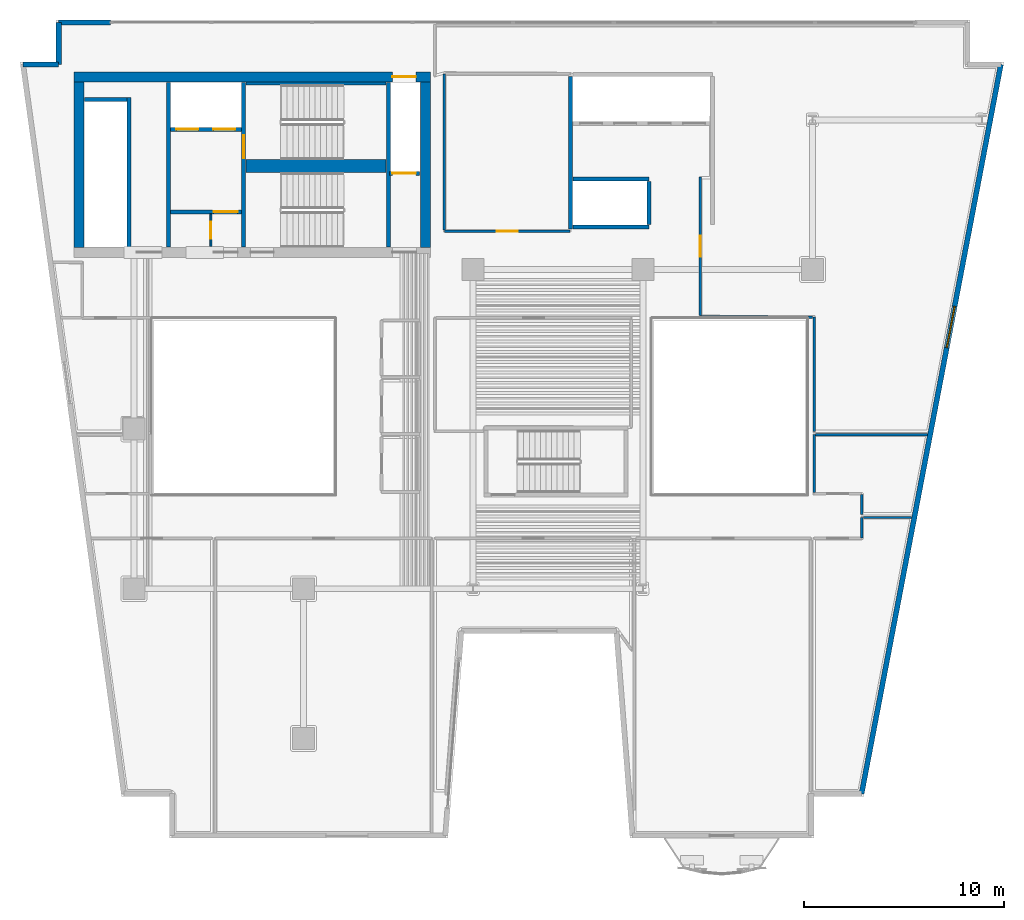
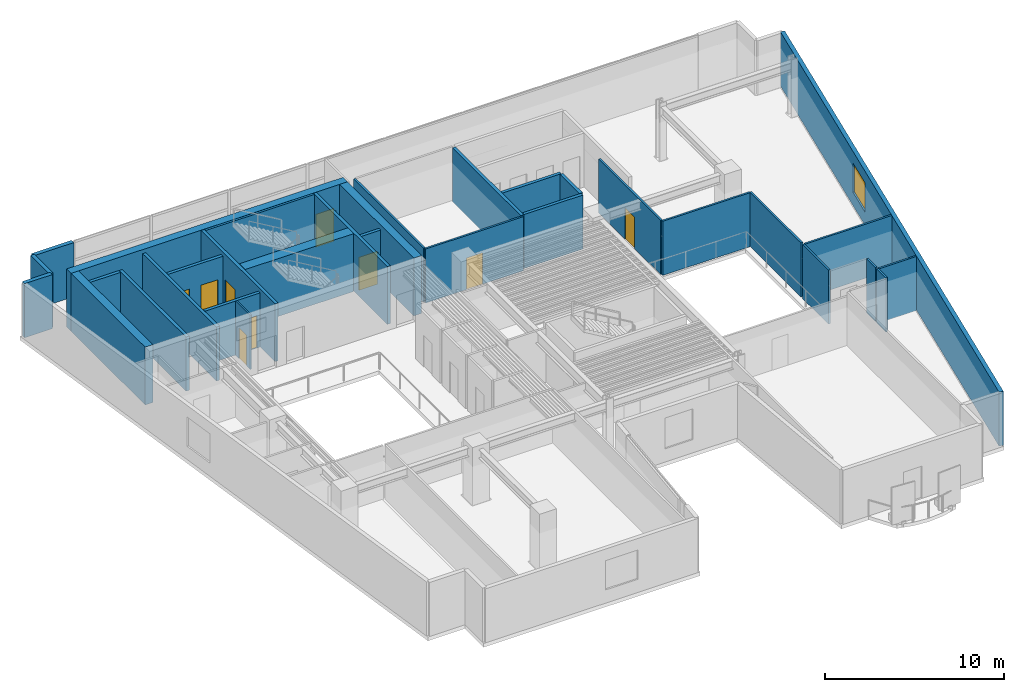
# One storey, part 7 of 13: 32 walls, 9 doors, 1 window, 10 openings.
"""IFC4 building model written with IfcOpenShell, lengths in metres."""

from ifc_helpers import new_model, si_unit, direction, frame, frame_2d, origin, place, context, subcontext, project, spatial, rectangle, extrude, material, layer, layer_set, type_object, element, fill, save


model = new_model("IFC4")

# Units and contexts
model_context = context("Model", 3, precision=1e-05, world=origin(), true_north=direction((0.0, 1.0)))
body_context = subcontext(model_context, "Body", "Model", "MODEL_VIEW")
ifc_project = project(units=[si_unit("LENGTHUNIT", "METRE"), si_unit("AREAUNIT", "SQUARE_METRE"), si_unit("VOLUMEUNIT", "CUBIC_METRE"), si_unit("PLANEANGLEUNIT", "RADIAN"), si_unit("MASSUNIT", "GRAM", prefix="KILO")], contexts=[model_context])

# Site, building, storey
site_placement = place(None, origin())
site = spatial("IfcSite", under=ifc_project, at=site_placement, CompositionType="ELEMENT")
building_placement = place(site_placement, origin())
building = spatial("IfcBuilding", under=site, at=building_placement, Name="Caeloran Harvest Quay", CompositionType="ELEMENT")
storey_placement = place(building_placement, frame((0.0, 0.0, 131.14990234375)))
storey = spatial("IfcBuildingStorey", under=building, at=storey_placement, Name="L30", CompositionType="ELEMENT", Elevation=131.14990234375)

# Walls
ifc_material_1 = material(Name="Precast concrete C50/60", Category="concrete")
ifc_layer_1 = layer(ifc_material_1, 0.260009765625, Name="Precast concrete C50/60")
ifc_layer_set_1 = layer_set([ifc_layer_1], Name="Precast concrete C50/60")
wall_type_1 = type_object("IfcWallType", Name="ENV-WALL-EW-260", PredefinedType="STANDARD", material=ifc_layer_set_1)
wall_1_placement = place(storey_placement, frame((2.939697265625, 41.27001953125, 0.0), z_axis=(0.0, 0.0, 1.0), x_axis=(1.0, 0.0, 0.0)))
element("IfcWall", 1, at=wall_1_placement, inside=storey, type_object=wall_type_1, Name="L30 Exterior Precast Concrete Facade Wall 4", PredefinedType="STANDARD", context=body_context, shape_type="SweptSolid", body=[
    extrude(rectangle(XDim=1.790283203125, YDim=0.260009765625, at=frame_2d((0.89501953125, 0.0))), origin(), (0.0, 0.0, 1.0), 3.690185546875),
])
wall_2_placement = place(storey_placement, frame((4.72998046875, 41.27001953125, 0.0), z_axis=(0.0, 0.0, 1.0), x_axis=(0.0, 1.0, 0.0)))
element("IfcWall", 2, at=wall_2_placement, inside=storey, type_object=wall_type_1, Name="L30 Exterior Precast Concrete Facade Wall 5", PredefinedType="STANDARD", context=body_context, shape_type="SweptSolid", body=[
    extrude(rectangle(XDim=2.10009765625, YDim=0.260009765625, at=frame_2d((1.050048828125, 0.0))), origin(), (0.0, 0.0, 1.0), 3.690185546875),
])
wall_3_placement = place(storey_placement, frame((4.72998046875, 43.3701171875, 0.0), z_axis=(0.0, 0.0, 1.0), x_axis=(1.0, 0.0, 0.0)))
element("IfcWall", 3, at=wall_3_placement, inside=storey, type_object=wall_type_1, Name="L30 Exterior Facade Corner Pier Wall 6A", PredefinedType="STANDARD", context=body_context, shape_type="SweptSolid", body=[
    extrude(rectangle(XDim=2.60009765625, YDim=0.260009765625, at=frame_2d((1.300048828125, 0.0))), origin(), (0.0, 0.0, 1.0), 3.690185546875),
])

# Wall, opening, window
wall_4_placement = place(storey_placement, frame((51.94189453125, 41.27001953125, 0.0), z_axis=(0.0, 0.0, 1.0), x_axis=(-0.187592192405, -0.982247000173, 0.0)))
wall_4 = element("IfcWall", 4, at=wall_4_placement, inside=storey, type_object=wall_type_1, Name="L30 Exterior Precast Concrete Facade Wall 9", PredefinedType="STANDARD", context=body_context, shape_type="SweptSolid", body=[
    extrude(rectangle(XDim=37.200439453125, YDim=0.260009765625, at=frame_2d((18.60009765625, 0.0))), origin(), (0.0, 0.0, 1.0), 3.690185546875),
])
opening_1_placement = place(wall_4_placement, frame((12.342041015625, 0.0, 0.89990234375)))
opening_1 = element("IfcOpeningElement", 5, at=opening_1_placement, cuts=wall_4, Name="Opening W-06", PredefinedType="OPENING", context=body_context, shape_type="SweptSolid", body=[
    extrude(rectangle(XDim=2.10009765625, YDim=2.0, at=frame_2d((1.050048828125, 1.0))), frame((0.0, 0.14013671875, 0.0), z_axis=(0.0, -1.0, 0.0), x_axis=(1.0, 0.0, 0.0)), (0.0, 0.0, 1.0), 0.280029296875),
])
ifc_material_2 = material(Name="Aluminium-Framed Low-E Laminated Glass", Category="aluminium")
window_type = type_object("IfcWindowType", Name="WIN-W-06", PartitioningType="DOUBLE_PANEL_VERTICAL", PredefinedType="WINDOW", material=ifc_material_2)
window_placement = place(opening_1_placement, origin())
window = element("IfcWindow", 6, at=window_placement, inside=storey, type_object=window_type, Name="L30 Facade Punched Window W-06", OverallHeight=2.0, OverallWidth=2.10009765625, PartitioningType="DOUBLE_PANEL_VERTICAL", PredefinedType="WINDOW", context=body_context, shape_type="SweptSolid", body=[
    extrude(rectangle(XDim=2.10009765625, YDim=2.0, at=frame_2d((1.050048828125, 1.0))), frame((0.0, 0.030029296875, 0.0), z_axis=(0.0, -1.0, 0.0), x_axis=(1.0, 0.0, 0.0)), (0.0, 0.0, 1.0), 0.06005859375),
])
fill(opening_1, window)

# Wall, opening, door
ifc_material_3 = material(Name="Fire-Resisting Gypsum Core Riser Partition", Category="gypsum")
ifc_layer_2 = layer(ifc_material_3, 0.10009765625, Name="Fire-Resisting Gypsum Core Riser Partition")
ifc_layer_set_2 = layer_set([ifc_layer_2], Name="Fire-Resisting Gypsum Core Riser Partition")
wall_type_2 = type_object("IfcWallType", Name="INT-WALL-PW-100", PredefinedType="PARTITIONING", material=ifc_layer_set_2)
wall_5_placement = place(storey_placement, frame((12.360107421875, 32.159912109375, 0.0), z_axis=(0.0, 0.0, 1.0), x_axis=(0.0, 1.0, 0.0)))
wall_5 = element("IfcWall", 7, at=wall_5_placement, inside=storey, type_object=wall_type_2, Name="L30 Core Store Partition Wall", PredefinedType="PARTITIONING", context=body_context, shape_type="SweptSolid", body=[
    extrude(rectangle(XDim=1.6201171875, YDim=0.10009765625, at=frame_2d((0.81005859375, 0.0))), origin(), (0.0, 0.0, 1.0), 3.690185546875),
])
opening_2_placement = place(wall_5_placement, frame((0.3798828125, 0.0, 0.0)))
opening_2 = element("IfcOpeningElement", 8, at=opening_2_placement, cuts=wall_5, Name="Opening SV-01", PredefinedType="OPENING", context=body_context, shape_type="SweptSolid", body=[
    extrude(rectangle(XDim=0.85009765625, YDim=2.10009765625, at=frame_2d((0.425048828125, 1.050048828125))), frame((0.0, 0.06005859375, 0.0), z_axis=(0.0, -1.0, 0.0), x_axis=(1.0, 0.0, 0.0)), (0.0, 0.0, 1.0), 0.1201171875),
])
ifc_material_4 = material(Name="Galvanized Painted Steel", Category="steel")
door_type_1 = type_object("IfcDoorType", Name="INTDOOR-SV-01", OperationType="NOTDEFINED", PredefinedType="DOOR", material=ifc_material_4)
door_1_placement = place(opening_2_placement, origin())
door_1 = element("IfcDoor", 9, at=door_1_placement, inside=storey, type_object=door_type_1, Name="L30 Core Service Room Access Door", OperationType="SINGLE_SWING_RIGHT", OverallHeight=2.10009765625, OverallWidth=0.85009765625, PredefinedType="DOOR", context=body_context, shape_type="SweptSolid", body=[
    extrude(rectangle(XDim=0.85009765625, YDim=2.10009765625, at=frame_2d((0.425048828125, 1.050048828125))), frame((0.0, 0.02490234375, 0.0), z_axis=(0.0, -1.0, 0.0), x_axis=(1.0, 0.0, 0.0)), (0.0, 0.0, 1.0), 0.050048828125),
])
fill(opening_2, door_1)

ifc_material_5 = material(Name="Twin-Stud Mineral-Wool Acoustic Gypsum Partition", Category="gypsum")
ifc_layer_3 = layer(ifc_material_5, 0.125, Name="Twin-Stud Mineral-Wool Acoustic Gypsum Partition")
ifc_layer_set_3 = layer_set([ifc_layer_3], Name="Twin-Stud Mineral-Wool Acoustic Gypsum Partition")
wall_type_3 = type_object("IfcWallType", Name="INT-WALL-PW-125", PredefinedType="PARTITIONING", material=ifc_layer_set_3)
wall_6_placement = place(storey_placement, frame((30.35009765625, 32.919921875, 0.0), z_axis=(0.0, 0.0, 1.0), x_axis=(-1.0, 0.0, 0.0)))
wall_6 = element("IfcWall", 10, at=wall_6_placement, inside=storey, type_object=wall_type_3, Name="L30 Bioinformatics and Crop Phenotyping Laboratory Partition Wall", PredefinedType="PARTITIONING", context=body_context, shape_type="SweptSolid", body=[
    extrude(rectangle(XDim=6.300048828125, YDim=0.125, at=frame_2d((3.14990234375, 0.0))), origin(), (0.0, 0.0, 1.0), 3.690185546875),
])
opening_3_placement = place(wall_6_placement, frame((2.625, 0.0, 0.0)))
opening_3 = element("IfcOpeningElement", 11, at=opening_3_placement, cuts=wall_6, Name="Opening ID-03", PredefinedType="OPENING", context=body_context, shape_type="SweptSolid", body=[
    extrude(rectangle(XDim=1.050048828125, YDim=2.14990234375, at=frame_2d((0.52490234375, 1.074951171875))), frame((0.0, 0.072509765625, 0.0), z_axis=(0.0, -1.0, 0.0), x_axis=(1.0, 0.0, 0.0)), (0.0, 0.0, 1.0), 0.14501953125),
])
ifc_material_6 = material(Name="FSC Solid-Core Oak Timber Leaf", Category="wood")
door_type_2 = type_object("IfcDoorType", Name="INTDOOR-ID-03", OperationType="NOTDEFINED", PredefinedType="DOOR", material=ifc_material_6)
door_2_placement = place(opening_3_placement, origin())
door_2 = element("IfcDoor", 12, at=door_2_placement, inside=storey, type_object=door_type_2, Name="L30 Bioinformatics and Crop Phenotyping Laboratory Access Door", OperationType="SINGLE_SWING_LEFT", OverallHeight=2.14990234375, OverallWidth=1.050048828125, PredefinedType="DOOR", context=body_context, shape_type="SweptSolid", body=[
    extrude(rectangle(XDim=1.050048828125, YDim=2.14990234375, at=frame_2d((0.52490234375, 1.074951171875))), frame((0.0, 0.02490234375, 0.0), z_axis=(0.0, -1.0, 0.0), x_axis=(1.0, 0.0, 0.0)), (0.0, 0.0, 1.0), 0.050048828125),
])
fill(opening_3, door_2)

# Walls
wall_7_placement = place(storey_placement, frame((24.050048828125, 32.987548828125, 0.0), z_axis=(0.0, 0.0, 1.0), x_axis=(0.0, 1.0, 0.0)))
element("IfcWall", 13, at=wall_7_placement, inside=storey, type_object=wall_type_3, Name="L30 Bioinformatics and Crop Phenotyping Laboratory Partition Wall", PredefinedType="PARTITIONING", context=body_context, shape_type="SweptSolid", body=[
    extrude(rectangle(XDim=7.8125, YDim=0.125, at=frame_2d((3.90625, 0.0))), origin(), (0.0, 0.0, 1.0), 3.690185546875),
])
wall_8_placement = place(storey_placement, frame((44.97998046875, 17.550048828125, 0.0), z_axis=(0.0, 0.0, 1.0), x_axis=(0.0, 1.0, 0.0)))
element("IfcWall", 14, at=wall_8_placement, inside=storey, type_object=wall_type_3, Name="Bio-Security Compliance Office Partition Wall", PredefinedType="PARTITIONING", context=body_context, shape_type="SweptSolid", body=[
    extrude(rectangle(XDim=1.02001953125, YDim=0.125, at=frame_2d((0.510009765625, 0.0))), origin(), (0.0, 0.0, 1.0), 3.690185546875),
])
wall_9_placement = place(storey_placement, frame((45.047607421875, 18.570068359375, 0.0), z_axis=(0.0, 0.0, 1.0), x_axis=(1.0, 0.0, 0.0)))
element("IfcWall", 15, at=wall_9_placement, inside=storey, type_object=wall_type_3, Name="Bio-Security Compliance Office Partition Wall", PredefinedType="PARTITIONING", context=body_context, shape_type="SweptSolid", body=[
    extrude(rectangle(XDim=2.421630859375, YDim=0.125, at=frame_2d((1.2109375, 0.0))), origin(), (0.0, 0.0, 1.0), 3.690185546875),
])
wall_10_placement = place(storey_placement, frame((42.580078125, 19.8173828125, 0.0), z_axis=(0.0, 0.0, 1.0), x_axis=(0.0, 1.0, 0.0)))
element("IfcWall", 16, at=wall_10_placement, inside=storey, type_object=wall_type_3, Name="Research Library Study Room Partition Wall", PredefinedType="PARTITIONING", context=body_context, shape_type="SweptSolid", body=[
    extrude(rectangle(XDim=2.902587890625, YDim=0.125, at=frame_2d((1.451171875, 0.0))), origin(), (0.0, 0.0, 1.0), 3.690185546875),
])
wall_11_placement = place(storey_placement, frame((42.6474609375, 22.719970703125, 0.0), z_axis=(0.0, 0.0, 1.0), x_axis=(1.0, 0.0, 0.0)))
element("IfcWall", 17, at=wall_11_placement, inside=storey, type_object=wall_type_3, Name="Research Library Study Room Partition Wall", PredefinedType="PARTITIONING", context=body_context, shape_type="SweptSolid", body=[
    extrude(rectangle(XDim=5.6142578125, YDim=0.125, at=frame_2d((2.80712890625, 0.0))), origin(), (0.0, 0.0, 1.0), 3.690185546875),
])
wall_12_placement = place(storey_placement, frame((44.97998046875, 18.72998046875, 0.0), z_axis=(0.0, 0.0, 1.0), x_axis=(0.0, 1.0, 0.0)))
element("IfcWall", 18, at=wall_12_placement, inside=storey, type_object=wall_type_3, Name="Research Library Study Room Partition Wall", PredefinedType="PARTITIONING", context=body_context, shape_type="SweptSolid", body=[
    extrude(rectangle(XDim=0.989990234375, YDim=0.125, at=frame_2d((0.4951171875, 0.0))), origin(), (0.0, 0.0, 1.0), 3.690185546875),
])
wall_13_placement = place(storey_placement, frame((42.580078125, 22.8798828125, 0.0), z_axis=(0.0, 0.0, 1.0), x_axis=(0.0, 1.0, 0.0)))
element("IfcWall", 19, at=wall_13_placement, inside=storey, type_object=wall_type_3, Name="Controlled-Climate Simulation Lab 10 Partition Wall", PredefinedType="PARTITIONING", context=body_context, shape_type="SweptSolid", body=[
    extrude(rectangle(XDim=5.72900390625, YDim=0.125, at=frame_2d((2.864501953125, 0.0))), origin(), (0.0, 0.0, 1.0), 3.690185546875),
])
wall_14_placement = place(storey_placement, frame((42.512451171875, 28.609130859375, 0.0), z_axis=(0.0, 0.0, 1.0), x_axis=(-0.999993213113, 0.00368425396, 0.0)))
element("IfcWall", 20, at=wall_14_placement, inside=storey, type_object=wall_type_3, Name="Controlled-Climate Simulation Lab 10 Partition Wall", PredefinedType="PARTITIONING", context=body_context, shape_type="SweptSolid", body=[
    extrude(rectangle(XDim=5.632568359375, YDim=0.125, at=frame_2d((2.81640625, 0.0))), origin(), (0.0, 0.0, 1.0), 3.690185546875),
])

# Wall, opening, door
wall_15_placement = place(storey_placement, frame((36.8798828125, 28.697509765625, 0.0), z_axis=(0.0, 0.0, 1.0), x_axis=(0.0, 1.0, 0.0)))
wall_15 = element("IfcWall", 21, at=wall_15_placement, inside=storey, type_object=wall_type_3, Name="Controlled-Climate Simulation Lab 10 Partition Wall", PredefinedType="PARTITIONING", context=body_context, shape_type="SweptSolid", body=[
    extrude(rectangle(XDim=6.922607421875, YDim=0.125, at=frame_2d((3.46142578125, 0.0))), origin(), (0.0, 0.0, 1.0), 3.690185546875),
])
opening_4_placement = place(wall_15_placement, frame((2.936279296875, 0.0, 0.0)))
opening_4 = element("IfcOpeningElement", 22, at=opening_4_placement, cuts=wall_15, Name="Opening ID-03", PredefinedType="OPENING", context=body_context, shape_type="SweptSolid", body=[
    extrude(rectangle(XDim=1.050048828125, YDim=2.14990234375, at=frame_2d((0.52490234375, 1.074951171875))), frame((0.0, 0.072509765625, 0.0), z_axis=(0.0, -1.0, 0.0), x_axis=(1.0, 0.0, 0.0)), (0.0, 0.0, 1.0), 0.14501953125),
])
door_3_placement = place(opening_4_placement, origin())
door_3 = element("IfcDoor", 23, at=door_3_placement, inside=storey, type_object=door_type_2, Name="Controlled-Climate Simulation Lab 10 Access Door", OperationType="SINGLE_SWING_RIGHT", OverallHeight=2.14990234375, OverallWidth=1.050048828125, PredefinedType="DOOR", context=body_context, shape_type="SweptSolid", body=[
    extrude(rectangle(XDim=1.050048828125, YDim=2.14990234375, at=frame_2d((0.52490234375, 1.074951171875))), frame((0.0, 0.02490234375, 0.0), z_axis=(0.0, -1.0, 0.0), x_axis=(1.0, 0.0, 0.0)), (0.0, 0.0, 1.0), 0.050048828125),
])
fill(opening_4, door_3)

# Walls
ifc_material_7 = material(Name="Concrete C50/60", Category="concrete")
ifc_layer_4 = layer(ifc_material_7, 0.199951171875, Name="Concrete C50/60")
ifc_layer_set_4 = layer_set([ifc_layer_4], Name="Concrete C50/60")
wall_type_4 = type_object("IfcWallType", Name="INT-WALL-SW-200", PredefinedType="PARTITIONING", material=ifc_layer_set_4)
wall_16_placement = place(storey_placement, frame((8.260009765625, 32.1201171875, 0.0), z_axis=(0.0, 0.0, 1.0), x_axis=(0.0, 1.0, 0.0)))
element("IfcWall", 24, at=wall_16_placement, inside=storey, type_object=wall_type_4, Name="L30 Bank 3 Lift Shaft Wall", PredefinedType="PARTITIONING", context=body_context, shape_type="SweptSolid", body=[
    extrude(rectangle(XDim=7.5, YDim=0.199951171875, at=frame_2d((3.75, 0.0))), origin(), (0.0, 0.0, 1.0), 3.690185546875),
])
wall_17_placement = place(storey_placement, frame((6.02001953125, 39.52001953125, 0.0), z_axis=(0.0, 0.0, 1.0), x_axis=(1.0, 0.0, 0.0)))
element("IfcWall", 25, at=wall_17_placement, inside=storey, type_object=wall_type_4, Name="L30 Bank 3 Lift Shaft North End Wall", PredefinedType="PARTITIONING", context=body_context, shape_type="SweptSolid", body=[
    extrude(rectangle(XDim=2.119873046875, YDim=0.199951171875, at=frame_2d((1.06005859375, 0.0))), origin(), (0.0, 0.0, 1.0), 3.690185546875),
])
wall_18_placement = place(storey_placement, frame((10.219970703125, 32.1201171875, 0.0), z_axis=(0.0, 0.0, 1.0), x_axis=(0.0, 1.0, 0.0)))
element("IfcWall", 26, at=wall_18_placement, inside=storey, type_object=wall_type_4, Name="L30 Core Lobby Compartment Wall", PredefinedType="PARTITIONING", context=body_context, shape_type="SweptSolid", body=[
    extrude(rectangle(XDim=8.259765625, YDim=0.199951171875, at=frame_2d((4.1298828125, 0.0))), origin(), (0.0, 0.0, 1.0), 3.690185546875),
])

# Wall, openings, doors
wall_19_placement = place(storey_placement, frame((10.340087890625, 38.02001953125, 0.0), z_axis=(0.0, 0.0, 1.0), x_axis=(1.0, 0.0, 0.0)))
wall_19 = element("IfcWall", 27, at=wall_19_placement, inside=storey, type_object=wall_type_4, Name="L30 Firefighting Lift Shaft Wall", PredefinedType="PARTITIONING", context=body_context, shape_type="SweptSolid", body=[
    extrude(rectangle(XDim=3.539794921875, YDim=0.199951171875, at=frame_2d((1.77001953125, 0.0))), origin(), (0.0, 0.0, 1.0), 3.690185546875),
])
opening_5_placement = place(wall_19_placement, frame((0.284912109375, 0.0, 0.0)))
opening_5 = element("IfcOpeningElement", 28, at=opening_5_placement, cuts=wall_19, Name="Opening LD-01", PredefinedType="OPENING", context=body_context, shape_type="SweptSolid", body=[
    extrude(rectangle(XDim=1.10009765625, YDim=2.199951171875, at=frame_2d((0.550048828125, 1.10009765625))), frame((0.0, 0.10986328125, 0.0), z_axis=(0.0, -1.0, 0.0), x_axis=(1.0, 0.0, 0.0)), (0.0, 0.0, 1.0), 0.219970703125),
])
opening_6_placement = place(wall_19_placement, frame((2.135009765625, 0.0, 0.0)))
opening_6 = element("IfcOpeningElement", 29, at=opening_6_placement, cuts=wall_19, Name="Opening LD-01", PredefinedType="OPENING", context=body_context, shape_type="SweptSolid", body=[
    extrude(rectangle(XDim=1.10009765625, YDim=2.199951171875, at=frame_2d((0.550048828125, 1.10009765625))), frame((0.0, 0.10986328125, 0.0), z_axis=(0.0, -1.0, 0.0), x_axis=(1.0, 0.0, 0.0)), (0.0, 0.0, 1.0), 0.219970703125),
])
ifc_material_8 = material(Name="Stainless Steel Grade 316", Category="steel")
door_type_3 = type_object("IfcDoorType", Name="INTDOOR-LD-01", OperationType="NOTDEFINED", PredefinedType="DOOR", material=ifc_material_8)
door_4_placement = place(opening_5_placement, origin())
door_4 = element("IfcDoor", 30, at=door_4_placement, inside=storey, type_object=door_type_3, Name="Lift FF-1 Sliding Landing Door (L30)", OperationType="DOUBLE_DOOR_SLIDING", OverallHeight=2.199951171875, OverallWidth=1.10009765625, PredefinedType="DOOR", context=body_context, shape_type="SweptSolid", body=[
    extrude(rectangle(XDim=1.10009765625, YDim=2.199951171875, at=frame_2d((0.550048828125, 1.10009765625))), frame((0.0, 0.02490234375, 0.0), z_axis=(0.0, -1.0, 0.0), x_axis=(1.0, 0.0, 0.0)), (0.0, 0.0, 1.0), 0.050048828125),
])
fill(opening_5, door_4)
door_5_placement = place(opening_6_placement, origin())
door_5 = element("IfcDoor", 31, at=door_5_placement, inside=storey, type_object=door_type_3, Name="Lift FF-2 Sliding Landing Door (L30)", OperationType="DOUBLE_DOOR_SLIDING", OverallHeight=2.199951171875, OverallWidth=1.10009765625, PredefinedType="DOOR", context=body_context, shape_type="SweptSolid", body=[
    extrude(rectangle(XDim=1.10009765625, YDim=2.199951171875, at=frame_2d((0.550048828125, 1.10009765625))), frame((0.0, 0.02490234375, 0.0), z_axis=(0.0, -1.0, 0.0), x_axis=(1.0, 0.0, 0.0)), (0.0, 0.0, 1.0), 0.050048828125),
])
fill(opening_6, door_5)

# Wall, opening, door
wall_20_placement = place(storey_placement, frame((10.340087890625, 33.8798828125, 0.0), z_axis=(0.0, 0.0, 1.0), x_axis=(1.0, 0.0, 0.0)))
wall_20 = element("IfcWall", 32, at=wall_20_placement, inside=storey, type_object=wall_type_4, Name="L30 Firefighting Lift Lobby Enclosure Wall", PredefinedType="PARTITIONING", context=body_context, shape_type="SweptSolid", body=[
    extrude(rectangle(XDim=3.559814453125, YDim=0.199951171875, at=frame_2d((1.77978515625, 0.0))), origin(), (0.0, 0.0, 1.0), 3.690185546875),
])
opening_7_placement = place(wall_20_placement, frame((2.14990234375, 0.0, 0.0)))
opening_7 = element("IfcOpeningElement", 33, at=opening_7_placement, cuts=wall_20, Name="Opening FD-01", PredefinedType="OPENING", context=body_context, shape_type="SweptSolid", body=[
    extrude(rectangle(XDim=1.199951171875, YDim=2.199951171875, at=frame_2d((0.60009765625, 1.10009765625))), frame((0.0, 0.10986328125, 0.0), z_axis=(0.0, -1.0, 0.0), x_axis=(1.0, 0.0, 0.0)), (0.0, 0.0, 1.0), 0.219970703125),
])
ifc_material_9 = material(Name="Steel", Category="steel")
door_type_4 = type_object("IfcDoorType", Name="INTDOOR-FD-01", OperationType="NOTDEFINED", PredefinedType="DOOR", material=ifc_material_9)
door_6_placement = place(opening_7_placement, origin())
door_6 = element("IfcDoor", 34, at=door_6_placement, inside=storey, type_object=door_type_4, Name="L30 Firefighting Lift Lobby Smoke-Seal Fire Door", OperationType="SINGLE_SWING_LEFT", OverallHeight=2.199951171875, OverallWidth=1.199951171875, PredefinedType="DOOR", context=body_context, shape_type="SweptSolid", body=[
    extrude(rectangle(XDim=1.199951171875, YDim=2.199951171875, at=frame_2d((0.60009765625, 1.10009765625))), frame((0.0, 0.02490234375, 0.0), z_axis=(0.0, -1.0, 0.0), x_axis=(1.0, 0.0, 0.0)), (0.0, 0.0, 1.0), 0.050048828125),
])
fill(opening_7, door_6)

wall_21_placement = place(storey_placement, frame((21.300048828125, 35.820068359375, 0.0), z_axis=(0.0, 0.0, 1.0), x_axis=(1.0, 0.0, 0.0)))
wall_21 = element("IfcWall", 35, at=wall_21_placement, inside=storey, type_object=wall_type_4, Name="L30 Service Lift SV-2 Shaft Wall", PredefinedType="PARTITIONING", context=body_context, shape_type="SweptSolid", body=[
    extrude(rectangle(XDim=1.5, YDim=0.199951171875, at=frame_2d((0.75, 0.0))), origin(), (0.0, 0.0, 1.0), 3.690185546875),
])
opening_8_placement = place(wall_21_placement, frame((0.14501953125, 0.0, 0.0)))
opening_8 = element("IfcOpeningElement", 36, at=opening_8_placement, cuts=wall_21, Name="Opening LD-02", PredefinedType="OPENING", context=body_context, shape_type="SweptSolid", body=[
    extrude(rectangle(XDim=1.179931640625, YDim=2.25, at=frame_2d((0.58984375, 1.125))), frame((0.0, 0.10986328125, 0.0), z_axis=(0.0, -1.0, 0.0), x_axis=(1.0, 0.0, 0.0)), (0.0, 0.0, 1.0), 0.219970703125),
])
door_type_5 = type_object("IfcDoorType", Name="INTDOOR-LD-02", OperationType="NOTDEFINED", PredefinedType="DOOR", material=ifc_material_8)
door_7_placement = place(opening_8_placement, origin())
door_7 = element("IfcDoor", 37, at=door_7_placement, inside=storey, type_object=door_type_5, Name="Lift SV-2 Sliding Landing Door (L30)", OperationType="DOUBLE_DOOR_SLIDING", OverallHeight=2.25, OverallWidth=1.179931640625, PredefinedType="DOOR", context=body_context, shape_type="SweptSolid", body=[
    extrude(rectangle(XDim=1.179931640625, YDim=2.25, at=frame_2d((0.58984375, 1.125))), frame((0.0, 0.02490234375, 0.0), z_axis=(0.0, -1.0, 0.0), x_axis=(1.0, 0.0, 0.0)), (0.0, 0.0, 1.0), 0.050048828125),
])
fill(opening_8, door_7)

# Walls
wall_22_placement = place(storey_placement, frame((30.3798828125, 33.02001953125, 0.0), z_axis=(0.0, 0.0, 1.0), x_axis=(0.0, 1.0, 0.0)))
element("IfcWall", 38, at=wall_22_placement, inside=storey, type_object=wall_type_4, Name="L30 Bank 2 and Shuttle Lift Shaft West Wall", PredefinedType="PARTITIONING", context=body_context, shape_type="SweptSolid", body=[
    extrude(rectangle(XDim=7.639892578125, YDim=0.199951171875, at=frame_2d((3.81982421875, 0.0))), origin(), (0.0, 0.0, 1.0), 3.690185546875),
])
for number, where, z_axis, x_axis, name in (
    (39, (30.5, 35.530029296875, 0.0), (0.0, 0.0, 1.0), (1.0, 0.0, 0.0), "L30 Shuttle Lift Landing Front Wall"),
    (40, (30.5, 33.1201171875, 0.0), (0.0, 0.0, 1.0), (1.0, 0.0, 0.0), "L30 Shuttle Lift Shaft South Wall"),
):
    element("IfcWall", number, at=place(storey_placement, frame(where, z_axis=z_axis, x_axis=x_axis)), inside=storey, type_object=wall_type_4, Name=name, PredefinedType="PARTITIONING", context=body_context, shape_type="SweptSolid", body=[
        extrude(rectangle(XDim=3.800048828125, YDim=0.199951171875, at=frame_2d((1.89990234375, 0.0))), origin(), (0.0, 0.0, 1.0), 3.690185546875),
    ])
wall_23_placement = place(storey_placement, frame((34.300048828125, 33.239990234375, 0.0), z_axis=(0.0, 0.0, 1.0), x_axis=(0.0, 1.0, 0.0)))
element("IfcWall", 41, at=wall_23_placement, inside=storey, type_object=wall_type_4, Name="L30 Shuttle Lift Shaft East Wall", PredefinedType="PARTITIONING", context=body_context, shape_type="SweptSolid", body=[
    extrude(rectangle(XDim=2.169921875, YDim=0.199951171875, at=frame_2d((1.0849609375, 0.0))), origin(), (0.0, 0.0, 1.0), 3.690185546875),
])

# Wall, opening, door
ifc_material_10 = material(Name="Concrete C70/85", Category="concrete")
ifc_layer_5 = layer(ifc_material_10, 0.5, Name="Concrete C70/85")
ifc_layer_set_5 = layer_set([ifc_layer_5], Name="Concrete C70/85")
wall_type_5 = type_object("IfcWallType", Name="STR-WALL-CW-500", PredefinedType="SHEAR", material=ifc_layer_set_5)
wall_24_placement = place(storey_placement, frame((5.5, 40.64990234375, 0.0), z_axis=(0.0, 0.0, 1.0), x_axis=(1.0, 0.0, 0.0)))
wall_24 = element("IfcWall", 42, at=wall_24_placement, inside=storey, type_object=wall_type_5, Name="L30 Rear Core Shear Wall N", PredefinedType="SHEAR", context=body_context, shape_type="SweptSolid", body=[
    extrude(rectangle(XDim=17.85009765625, YDim=0.5, at=frame_2d((8.925048828125, 0.0))), origin(), (0.0, 0.0, 1.0), 3.9501953125),
])
opening_9_placement = place(wall_24_placement, frame((15.945068359375, 0.0, 0.0)))
opening_9 = element("IfcOpeningElement", 43, at=opening_9_placement, cuts=wall_24, Name="Opening LD-02", PredefinedType="OPENING", context=body_context, shape_type="SweptSolid", body=[
    extrude(rectangle(XDim=1.179931640625, YDim=2.25, at=frame_2d((0.58984375, 1.125))), frame((0.0, 0.260009765625, 0.0), z_axis=(0.0, -1.0, 0.0), x_axis=(1.0, 0.0, 0.0)), (0.0, 0.0, 1.0), 0.52001953125),
])
door_8_placement = place(opening_9_placement, origin())
door_8 = element("IfcDoor", 44, at=door_8_placement, inside=storey, type_object=door_type_5, Name="Lift SV-1 Sliding Landing Door (L30)", OperationType="DOUBLE_DOOR_SLIDING", OverallHeight=2.25, OverallWidth=1.179931640625, PredefinedType="DOOR", context=body_context, shape_type="SweptSolid", body=[
    extrude(rectangle(XDim=1.179931640625, YDim=2.25, at=frame_2d((0.58984375, 1.125))), frame((0.0, 0.02490234375, 0.0), z_axis=(0.0, -1.0, 0.0), x_axis=(1.0, 0.0, 0.0)), (0.0, 0.0, 1.0), 0.050048828125),
])
fill(opening_9, door_8)

# Walls
for number, where, z_axis, x_axis, name in (
    (45, (5.75, 32.10009765625, 0.0), (0.0, 0.0, 1.0), (0.0, 1.0, 0.0), "L30 Rear Core Shear Wall W"),
    (46, (23.10009765625, 32.10009765625, 0.0), (0.0, 0.0, 1.0), (0.0, 1.0, 0.0), "L30 Rear Core Shear Wall E"),
):
    element("IfcWall", number, at=place(storey_placement, frame(where, z_axis=z_axis, x_axis=x_axis)), inside=storey, type_object=wall_type_5, Name=name, PredefinedType="SHEAR", context=body_context, shape_type="SweptSolid", body=[
        extrude(rectangle(XDim=8.2998046875, YDim=0.5, at=frame_2d((4.14990234375, 0.0))), origin(), (0.0, 0.0, 1.0), 3.9501953125),
    ])
ifc_material_11 = material(Name="Concrete C60/75", Category="concrete")
ifc_layer_6 = layer(ifc_material_11, 0.64990234375, Name="Concrete C60/75")
ifc_layer_set_6 = layer_set([ifc_layer_6], Name="Concrete C60/75")
wall_type_6 = type_object("IfcWallType", Name="STR-WALL-CW-650", PredefinedType="SHEAR", material=ifc_layer_set_6)
wall_25_placement = place(storey_placement, frame((14.1201171875, 36.175048828125, 0.0), z_axis=(0.0, 0.0, 1.0), x_axis=(1.0, 0.0, 0.0)))
element("IfcWall", 47, at=wall_25_placement, inside=storey, type_object=wall_type_6, Name="L30 Core Stairs Dividing Shear Wall", PredefinedType="SHEAR", context=body_context, shape_type="SweptSolid", body=[
    extrude(rectangle(XDim=7.009765625, YDim=0.64990234375, at=frame_2d((3.5048828125, 0.0))), origin(), (0.0, 0.0, 1.0), 3.9501953125),
])
ifc_layer_7 = layer(ifc_material_11, 0.139892578125, Name="Concrete C60/75")
ifc_layer_set_7 = layer_set([ifc_layer_7], Name="Concrete C60/75")
wall_type_7 = type_object("IfcWallType", Name="STR-WALL-SW-140", PredefinedType="SHEAR", material=ifc_layer_set_7)
wall_26_placement = place(storey_placement, frame((14.1201171875, 40.320068359375, 0.0), z_axis=(0.0, 0.0, 1.0), x_axis=(1.0, 0.0, 0.0)))
element("IfcWall", 48, at=wall_26_placement, inside=storey, type_object=wall_type_7, Name="L30 Core Stair ST-C1 North Bearing Shear Wall", PredefinedType="SHEAR", context=body_context, shape_type="SweptSolid", body=[
    extrude(rectangle(XDim=7.009765625, YDim=0.139892578125, at=frame_2d((3.5048828125, 0.0))), origin(), (0.0, 0.0, 1.0), 3.9501953125),
])

# Wall, opening, door
ifc_layer_8 = layer(ifc_material_11, 0.199951171875, Name="Concrete C60/75")
ifc_layer_set_8 = layer_set([ifc_layer_8], Name="Concrete C60/75")
wall_type_8 = type_object("IfcWallType", Name="STR-WALL-SW-200", PredefinedType="SHEAR", material=ifc_layer_set_8)
wall_27_placement = place(storey_placement, frame((14.0, 32.1201171875, 0.0), z_axis=(0.0, 0.0, 1.0), x_axis=(0.0, 1.0, 0.0)))
wall_27 = element("IfcWall", 49, at=wall_27_placement, inside=storey, type_object=wall_type_8, Name="L30 Core Stair Shaft West Shear Wall", PredefinedType="SHEAR", context=body_context, shape_type="SweptSolid", body=[
    extrude(rectangle(XDim=8.259765625, YDim=0.199951171875, at=frame_2d((4.1298828125, 0.0))), origin(), (0.0, 0.0, 1.0), 3.9501953125),
])
opening_10_placement = place(wall_27_placement, frame((4.4599609375, 0.0, 0.0)))
opening_10 = element("IfcOpeningElement", 50, at=opening_10_placement, cuts=wall_27, Name="Opening SD-01", PredefinedType="OPENING", context=body_context, shape_type="SweptSolid", body=[
    extrude(rectangle(XDim=1.14990234375, YDim=2.199951171875, at=frame_2d((0.574951171875, 1.10009765625))), frame((0.0, 0.10986328125, 0.0), z_axis=(0.0, -1.0, 0.0), x_axis=(1.0, 0.0, 0.0)), (0.0, 0.0, 1.0), 0.219970703125),
])
door_type_6 = type_object("IfcDoorType", Name="INTDOOR-SD-01", OperationType="NOTDEFINED", PredefinedType="DOOR", material=ifc_material_9)
door_9_placement = place(opening_10_placement, origin())
door_9 = element("IfcDoor", 51, at=door_9_placement, inside=storey, type_object=door_type_6, Name="L30 Protected Stair ST-C1 Exit Door", OperationType="SINGLE_SWING_LEFT", OverallHeight=2.199951171875, OverallWidth=1.14990234375, PredefinedType="DOOR", context=body_context, shape_type="SweptSolid", body=[
    extrude(rectangle(XDim=1.14990234375, YDim=2.199951171875, at=frame_2d((0.574951171875, 1.10009765625))), frame((0.0, 0.02490234375, 0.0), z_axis=(0.0, -1.0, 0.0), x_axis=(1.0, 0.0, 0.0)), (0.0, 0.0, 1.0), 0.050048828125),
])
fill(opening_10, door_9)

# Wall
wall_28_placement = place(storey_placement, frame((21.25, 32.1201171875, 0.0), z_axis=(0.0, 0.0, 1.0), x_axis=(0.0, 1.0, 0.0)))
element("IfcWall", 52, at=wall_28_placement, inside=storey, type_object=wall_type_8, Name="L30 Core Stair Shaft East Shear Wall", PredefinedType="SHEAR", context=body_context, shape_type="SweptSolid", body=[
    extrude(rectangle(XDim=8.259765625, YDim=0.199951171875, at=frame_2d((4.1298828125, 0.0))), origin(), (0.0, 0.0, 1.0), 3.9501953125),
])

save(model, "model.ifc")
